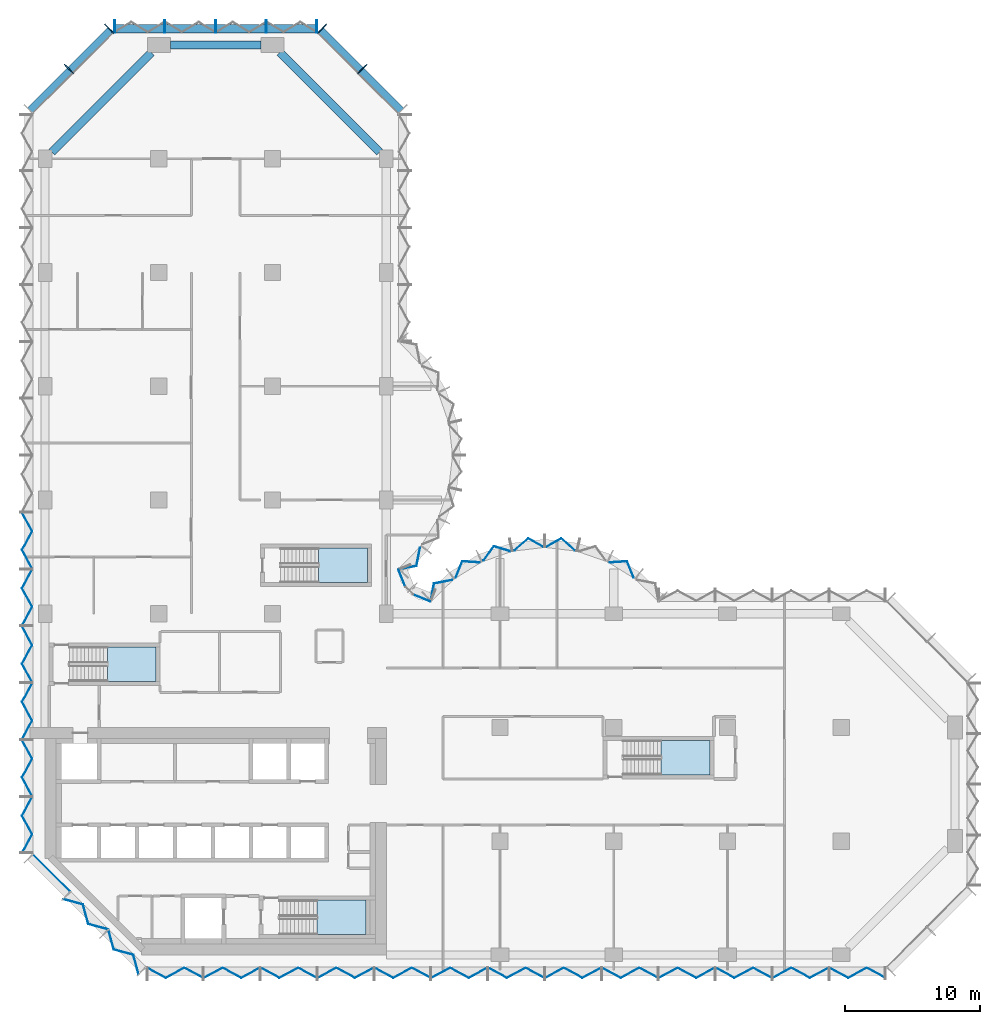
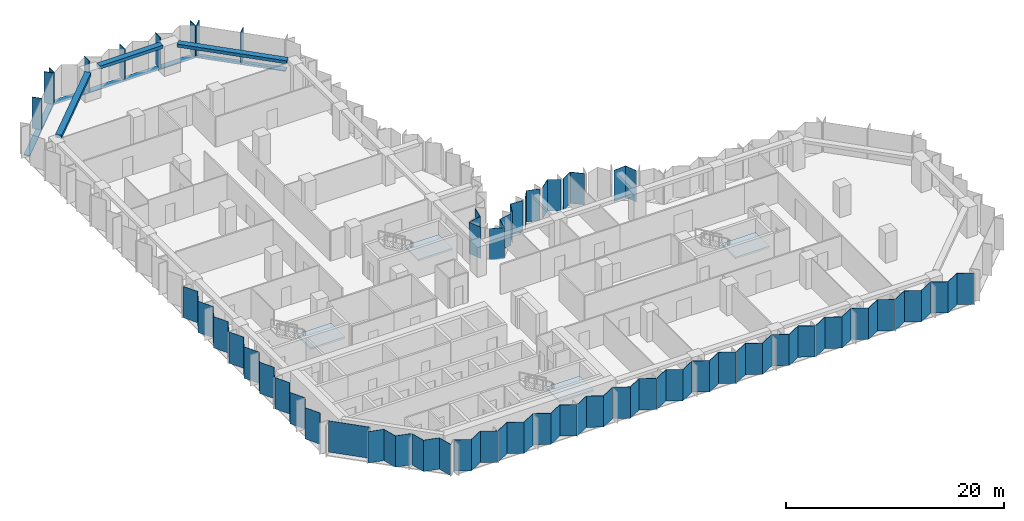
# One storey, part 5 of 13: 31 plates, 12 members, 4 slabs, 3 beams, 13 elements without a shape of their own.
"""IFC4 building model written with IfcOpenShell, lengths in metres."""

from ifc_helpers import new_model, si_unit, direction, frame, origin, origin_2d, place, context, subcontext, project, spatial, polyline, rectangle, outline, extrude, material, layer, layer_set, material_profile, profile_set, type_object, element, aggregate, save


model = new_model("IFC4")

# Units and contexts
model_context = context("Model", 3, precision=1e-05, world=origin(), true_north=direction((0.0, 1.0)))
body_context = subcontext(model_context, "Body", "Model", "MODEL_VIEW")
ifc_project = project(units=[si_unit("LENGTHUNIT", "METRE"), si_unit("AREAUNIT", "SQUARE_METRE"), si_unit("VOLUMEUNIT", "CUBIC_METRE"), si_unit("PLANEANGLEUNIT", "RADIAN"), si_unit("MASSUNIT", "GRAM", prefix="KILO")], contexts=[model_context])

# Site, building, storey
site_placement = place(None, origin())
site = spatial("IfcSite", under=ifc_project, at=site_placement, CompositionType="ELEMENT")
building_placement = place(site_placement, origin())
building = spatial("IfcBuilding", under=site, at=building_placement, Name="Brevane Broadcast Tower", CompositionType="ELEMENT")
storey_placement = place(building_placement, frame((0.0, 0.0, 113.300048828125)))
storey = spatial("IfcBuildingStorey", under=building, at=storey_placement, Name="L27", CompositionType="ELEMENT", Elevation=113.300048828125)

# Curtain wall, members
ifc_material_1 = material(Name="Aluminium 6063-T6 bronze anodised", Category="aluminium")
curtain_wall_type = type_object("IfcCurtainWallType", Name="CW-1 curtain wall", PredefinedType="NOTDEFINED", material=ifc_material_1)
curtain_wall_1_placement = place(storey_placement, origin())
curtain_wall_1 = element("IfcCurtainWall", 1, at=curtain_wall_1_placement, inside=storey, type_object=curtain_wall_type, Name="CW-1 typical tilted unit L27 north arm north-east chamfer", PredefinedType="NOTDEFINED")
ifc_material_profile_1 = material_profile(ifc_material_1, rectangle(XDim=0.949951171875, YDim=0.070068359375, at=origin_2d()), Name="RECT 70x950")
ifc_profile_set_1 = profile_set([ifc_material_profile_1], Name="Aluminium 6063-T6 bronze anodised")
member_type_1 = type_object("IfcMemberType", Name="CW-1 mullion 70x950", PredefinedType="MULLION", material=ifc_profile_set_1)
member_1_placement = place(storey_placement, frame((23.435791015625, 65.435791015625, -0.150146484375), z_axis=(0.0, 0.0, 1.0), x_axis=(-0.707106781187, -0.707106781187, 0.0)))
member_1 = element("IfcMember", 2, at=member_1_placement, type_object=member_type_1, Name="CW-1 mullion", PredefinedType="MULLION", context=body_context, shape_type="SweptSolid", body=[
    extrude(rectangle(XDim=0.949951171875, YDim=0.070068359375, at=origin_2d()), origin(), (0.0, 0.0, 1.0), 3.5),
])
member_2_placement = place(storey_placement, frame((20.460693359375, 68.4111328125, -0.150146484375), z_axis=(0.0, 0.0, 1.0), x_axis=(-0.707106781187, -0.707106781187, 0.0)))
member_2 = element("IfcMember", 3, at=member_2_placement, type_object=member_type_1, Name="CW-1 mullion", PredefinedType="MULLION", context=body_context, shape_type="SweptSolid", body=[
    extrude(rectangle(XDim=0.949951171875, YDim=0.070068359375, at=origin_2d()), origin(), (0.0, 0.0, 1.0), 3.5),
])

curtain_wall_2_placement = place(storey_placement, origin())
curtain_wall_2 = element("IfcCurtainWall", 4, at=curtain_wall_2_placement, inside=storey, type_object=curtain_wall_type, Name="CW-1 typical tilted unit L27 north end", PredefinedType="NOTDEFINED")
member_3_placement = place(storey_placement, frame((20.06494140625, 68.574951171875, -0.150146484375), z_axis=(0.0, 0.0, 1.0), x_axis=(0.0, -1.0, 0.0)))
member_3 = element("IfcMember", 5, at=member_3_placement, type_object=member_type_1, Name="CW-1 mullion", PredefinedType="MULLION", context=body_context, shape_type="SweptSolid", body=[
    extrude(rectangle(XDim=0.949951171875, YDim=0.070068359375, at=origin_2d()), origin(), (0.0, 0.0, 1.0), 3.5),
])
member_4_placement = place(storey_placement, frame((16.35009765625, 68.574951171875, -0.150146484375), z_axis=(0.0, 0.0, 1.0), x_axis=(0.0, -1.0, 0.0)))
member_4 = element("IfcMember", 6, at=member_4_placement, type_object=member_type_1, Name="CW-1 mullion", PredefinedType="MULLION", context=body_context, shape_type="SweptSolid", body=[
    extrude(rectangle(XDim=0.949951171875, YDim=0.070068359375, at=origin_2d()), origin(), (0.0, 0.0, 1.0), 3.5),
])
member_5_placement = place(storey_placement, frame((12.60009765625, 68.574951171875, -0.150146484375), z_axis=(0.0, 0.0, 1.0), x_axis=(0.0, -1.0, 0.0)))
member_5 = element("IfcMember", 7, at=member_5_placement, type_object=member_type_1, Name="CW-1 mullion", PredefinedType="MULLION", context=body_context, shape_type="SweptSolid", body=[
    extrude(rectangle(XDim=0.949951171875, YDim=0.070068359375, at=origin_2d()), origin(), (0.0, 0.0, 1.0), 3.5),
])
member_6_placement = place(storey_placement, frame((8.85009765625, 68.574951171875, -0.150146484375), z_axis=(0.0, 0.0, 1.0), x_axis=(0.0, -1.0, 0.0)))
member_6 = element("IfcMember", 8, at=member_6_placement, type_object=member_type_1, Name="CW-1 mullion", PredefinedType="MULLION", context=body_context, shape_type="SweptSolid", body=[
    extrude(rectangle(XDim=0.949951171875, YDim=0.070068359375, at=origin_2d()), origin(), (0.0, 0.0, 1.0), 3.5),
])
member_7_placement = place(storey_placement, frame((5.135009765625, 68.574951171875, -0.150146484375), z_axis=(0.0, 0.0, 1.0), x_axis=(0.0, -1.0, 0.0)))
member_7 = element("IfcMember", 9, at=member_7_placement, type_object=member_type_1, Name="CW-1 mullion", PredefinedType="MULLION", context=body_context, shape_type="SweptSolid", body=[
    extrude(rectangle(XDim=0.949951171875, YDim=0.070068359375, at=origin_2d()), origin(), (0.0, 0.0, 1.0), 3.5),
])

curtain_wall_3_placement = place(storey_placement, origin())
curtain_wall_3 = element("IfcCurtainWall", 10, at=curtain_wall_3_placement, inside=storey, type_object=curtain_wall_type, Name="CW-1 typical tilted unit L27 north-west chamfer", PredefinedType="NOTDEFINED")
member_8_placement = place(storey_placement, frame((4.7392578125, 68.4111328125, -0.150146484375), z_axis=(0.0, 0.0, 1.0), x_axis=(0.707106781187, -0.707106781187, 0.0)))
member_8 = element("IfcMember", 11, at=member_8_placement, type_object=member_type_1, Name="CW-1 mullion", PredefinedType="MULLION", context=body_context, shape_type="SweptSolid", body=[
    extrude(rectangle(XDim=0.949951171875, YDim=0.070068359375, at=origin_2d()), origin(), (0.0, 0.0, 1.0), 3.5),
])
member_9_placement = place(storey_placement, frame((1.76416015625, 65.435791015625, -0.150146484375), z_axis=(0.0, 0.0, 1.0), x_axis=(0.707106781187, -0.707106781187, 0.0)))
member_9 = element("IfcMember", 12, at=member_9_placement, type_object=member_type_1, Name="CW-1 mullion", PredefinedType="MULLION", context=body_context, shape_type="SweptSolid", body=[
    extrude(rectangle(XDim=0.949951171875, YDim=0.070068359375, at=origin_2d()), origin(), (0.0, 0.0, 1.0), 3.5),
])

# Member
ifc_material_profile_2 = material_profile(ifc_material_1, rectangle(XDim=0.60009765625, YDim=0.10009765625, at=origin_2d()), Name="RECT 100x600")
ifc_profile_set_2 = profile_set([ifc_material_profile_2], Name="Aluminium 6063-T6 bronze anodised")
member_type_2 = type_object("IfcMemberType", Name="CW-1 transom 100x600", PredefinedType="USERDEFINED", material=ifc_profile_set_2)
member_10_placement = place(storey_placement, frame((26.31201171875, 62.31201171875, -0.199951171875), z_axis=(-0.707106781187, 0.707106781187, 0.0), x_axis=(-0.707106781187, -0.707106781187, 0.0)))
member_10 = element("IfcMember", 13, at=member_10_placement, type_object=member_type_2, Name="CW-1 transom", ObjectType="TRANSOM", PredefinedType="USERDEFINED", context=body_context, shape_type="SweptSolid", body=[
    extrude(rectangle(XDim=0.60009765625, YDim=0.10009765625, at=origin_2d()), origin(), (0.0, 0.0, 1.0), 8.4853515625),
])

aggregate(curtain_wall_1, [member_1, member_2, member_10])

member_11_placement = place(storey_placement, frame((20.10009765625, 68.39990234375, -0.199951171875), z_axis=(-1.0, 0.0, 0.0), x_axis=(0.0, -1.0, 0.0)))
member_11 = element("IfcMember", 14, at=member_11_placement, type_object=member_type_2, Name="CW-1 transom", ObjectType="TRANSOM", PredefinedType="USERDEFINED", context=body_context, shape_type="SweptSolid", body=[
    extrude(rectangle(XDim=0.60009765625, YDim=0.10009765625, at=origin_2d()), origin(), (0.0, 0.0, 1.0), 15.0),
])

aggregate(curtain_wall_2, [member_3, member_4, member_5, member_6, member_7, member_11])

member_12_placement = place(storey_placement, frame((4.887939453125, 68.31201171875, -0.199951171875), z_axis=(-0.707106781187, -0.707106781187, 0.0), x_axis=(0.707106781187, -0.707106781187, 0.0)))
member_12 = element("IfcMember", 15, at=member_12_placement, type_object=member_type_2, Name="CW-1 transom", ObjectType="TRANSOM", PredefinedType="USERDEFINED", context=body_context, shape_type="SweptSolid", body=[
    extrude(rectangle(XDim=0.60009765625, YDim=0.10009765625, at=origin_2d()), origin(), (0.0, 0.0, 1.0), 8.4853515625),
])

aggregate(curtain_wall_3, [member_8, member_9, member_12])

# Beams
ifc_material_2 = material(Name="Concrete C40/50", Category="concrete")
ifc_material_profile_3 = material_profile(ifc_material_2, rectangle(XDim=0.60009765625, YDim=0.35009765625, at=origin_2d()), Name="RC 600x350")
ifc_profile_set_3 = profile_set([ifc_material_profile_3], Name="Concrete C40/50")
beam_type = type_object("IfcBeamType", Name="RC SPANDREL BEAM 600x350 C40/50", PredefinedType="SPANDREL", material=ifc_profile_set_3)
beam_1_placement = place(storey_placement, frame((24.699951171875, 59.300048828125, 3.175048828125), z_axis=(-0.707106781187, 0.707106781187, 0.0), x_axis=(-0.707106781187, -0.707106781187, 0.0)))
element("IfcBeam", 16, at=beam_1_placement, inside=storey, type_object=beam_type, Name="EB1 L27-16", PredefinedType="SPANDREL", context=body_context, shape_type="SweptSolid", body=[
    extrude(rectangle(XDim=0.60009765625, YDim=0.35009765625, at=origin_2d()), origin(), (0.0, 0.0, 1.0), 10.394287109375),
])
beam_2_placement = place(storey_placement, frame((15.949951171875, 67.199951171875, 3.175048828125), z_axis=(-1.0, 0.0, 0.0), x_axis=(0.0, -1.0, 0.0)))
element("IfcBeam", 17, at=beam_2_placement, inside=storey, type_object=beam_type, Name="EB1 L27-17", PredefinedType="SPANDREL", context=body_context, shape_type="SweptSolid", body=[
    extrude(rectangle(XDim=0.60009765625, YDim=0.35009765625, at=origin_2d()), origin(), (0.0, 0.0, 1.0), 6.699951171875),
])
beam_3_placement = place(storey_placement, frame((7.85009765625, 66.64990234375, 3.175048828125), z_axis=(-0.707118524903, -0.707095037275, 0.0), x_axis=(0.707095037275, -0.707118524903, 0.0)))
element("IfcBeam", 18, at=beam_3_placement, inside=storey, type_object=beam_type, Name="EB1 L27-18", PredefinedType="SPANDREL", context=body_context, shape_type="SweptSolid", body=[
    extrude(rectangle(XDim=0.60009765625, YDim=0.35009765625, at=origin_2d()), origin(), (0.0, 0.0, 1.0), 10.39453125),
])

# Curtain wall, plates
curtain_wall_4_placement = place(storey_placement, origin())
curtain_wall_4 = element("IfcCurtainWall", 19, at=curtain_wall_4_placement, inside=storey, type_object=curtain_wall_type, Name="CW-1 typical tilted unit L27 south face", PredefinedType="NOTDEFINED")
ifc_material_3 = material(Name="Laminated glass bronze-tinted", Category="glass")
ifc_layer_1 = layer(ifc_material_3, 0.0400390625)
ifc_layer_set_1 = layer_set([ifc_layer_1], Name="CW tall glass panel 40")
plate_type = type_object("IfcPlateType", Name="CW tall glass panel 40", PredefinedType="CURTAIN_PANEL", material=ifc_layer_set_1)
plate_1_placement = place(storey_placement, frame((0.0, 0.0, -0.150146484375)))
plate_1 = element("IfcPlate", 20, at=plate_1_placement, type_object=plate_type, Name="CW-1 glass panel", PredefinedType="CURTAIN_PANEL", context=body_context, shape_type="SweptSolid", body=[
    extrude(outline(polyline([(7.534912109375, -0.92724609375), (7.534912109375, -0.97265625), (8.91162109375, -1.717041015625), (10.288330078125, -0.97265625), (11.6650390625, -1.717041015625), (11.6650390625, -1.671630859375), (10.288330078125, -0.92724609375), (8.91162109375, -1.671630859375), (7.534912109375, -0.92724609375)])), origin(), (0.0, 0.0, 1.0), 3.5),
])
plate_2_placement = place(storey_placement, frame((0.0, 0.0, -0.150146484375)))
plate_2 = element("IfcPlate", 21, at=plate_2_placement, type_object=plate_type, Name="CW-1 glass panel", PredefinedType="CURTAIN_PANEL", context=body_context, shape_type="SweptSolid", body=[
    extrude(outline(polyline([(11.735107421875, -1.671630859375), (11.735107421875, -1.717041015625), (13.11181640625, -0.97265625), (14.48828125, -1.717041015625), (15.864990234375, -0.97265625), (15.864990234375, -0.92724609375), (14.48828125, -1.671630859375), (13.11181640625, -0.92724609375), (11.735107421875, -1.671630859375)])), origin(), (0.0, 0.0, 1.0), 3.5),
])
plate_3_placement = place(storey_placement, frame((0.0, 0.0, -0.150146484375)))
plate_3 = element("IfcPlate", 22, at=plate_3_placement, type_object=plate_type, Name="CW-1 glass panel", PredefinedType="CURTAIN_PANEL", context=body_context, shape_type="SweptSolid", body=[
    extrude(outline(polyline([(15.93505859375, -0.92724609375), (15.93505859375, -0.97265625), (17.311767578125, -1.717041015625), (18.688232421875, -0.97265625), (20.06494140625, -1.717041015625), (20.06494140625, -1.671630859375), (18.688232421875, -0.92724609375), (17.311767578125, -1.671630859375), (15.93505859375, -0.92724609375)])), origin(), (0.0, 0.0, 1.0), 3.5),
])
plate_4_placement = place(storey_placement, frame((0.0, 0.0, -0.150146484375)))
plate_4 = element("IfcPlate", 23, at=plate_4_placement, type_object=plate_type, Name="CW-1 glass panel", PredefinedType="CURTAIN_PANEL", context=body_context, shape_type="SweptSolid", body=[
    extrude(outline(polyline([(20.135009765625, -1.671630859375), (20.135009765625, -1.717041015625), (21.51171875, -0.97265625), (22.88818359375, -1.717041015625), (24.264892578125, -0.97265625), (24.264892578125, -0.92724609375), (22.88818359375, -1.671630859375), (21.51171875, -0.92724609375), (20.135009765625, -1.671630859375)])), origin(), (0.0, 0.0, 1.0), 3.5),
])
plate_5_placement = place(storey_placement, frame((0.0, 0.0, -0.150146484375)))
plate_5 = element("IfcPlate", 24, at=plate_5_placement, type_object=plate_type, Name="CW-1 glass panel", PredefinedType="CURTAIN_PANEL", context=body_context, shape_type="SweptSolid", body=[
    extrude(outline(polyline([(24.3349609375, -0.92724609375), (24.3349609375, -0.97265625), (25.711669921875, -1.717041015625), (27.08837890625, -0.97265625), (28.465087890625, -1.717041015625), (28.465087890625, -1.671630859375), (27.08837890625, -0.92724609375), (25.711669921875, -1.671630859375), (24.3349609375, -0.92724609375)])), origin(), (0.0, 0.0, 1.0), 3.5),
])
plate_6_placement = place(storey_placement, frame((0.0, 0.0, -0.150146484375)))
plate_6 = element("IfcPlate", 25, at=plate_6_placement, type_object=plate_type, Name="CW-1 glass panel", PredefinedType="CURTAIN_PANEL", context=body_context, shape_type="SweptSolid", body=[
    extrude(outline(polyline([(28.534912109375, -1.671630859375), (28.534912109375, -1.717041015625), (29.91162109375, -0.97265625), (31.288330078125, -1.717041015625), (32.6650390625, -0.97265625), (32.6650390625, -0.92724609375), (31.288330078125, -1.671630859375), (29.91162109375, -0.92724609375), (28.534912109375, -1.671630859375)])), origin(), (0.0, 0.0, 1.0), 3.5),
])
plate_7_placement = place(storey_placement, frame((0.0, 0.0, -0.150146484375)))
plate_7 = element("IfcPlate", 26, at=plate_7_placement, type_object=plate_type, Name="CW-1 glass panel", PredefinedType="CURTAIN_PANEL", context=body_context, shape_type="SweptSolid", body=[
    extrude(outline(polyline([(32.735107421875, -0.92724609375), (32.735107421875, -0.97265625), (34.11181640625, -1.717041015625), (35.48828125, -0.97265625), (36.864990234375, -1.717041015625), (36.864990234375, -1.671630859375), (35.48828125, -0.92724609375), (34.11181640625, -1.671630859375), (32.735107421875, -0.92724609375)])), origin(), (0.0, 0.0, 1.0), 3.5),
])
plate_8_placement = place(storey_placement, frame((0.0, 0.0, -0.150146484375)))
plate_8 = element("IfcPlate", 27, at=plate_8_placement, type_object=plate_type, Name="CW-1 glass panel", PredefinedType="CURTAIN_PANEL", context=body_context, shape_type="SweptSolid", body=[
    extrude(outline(polyline([(36.93505859375, -1.671630859375), (36.93505859375, -1.717041015625), (38.311767578125, -0.97265625), (39.688232421875, -1.717041015625), (41.06494140625, -0.97265625), (41.06494140625, -0.92724609375), (39.688232421875, -1.671630859375), (38.311767578125, -0.92724609375), (36.93505859375, -1.671630859375)])), origin(), (0.0, 0.0, 1.0), 3.5),
])
plate_9_placement = place(storey_placement, frame((0.0, 0.0, -0.150146484375)))
plate_9 = element("IfcPlate", 28, at=plate_9_placement, type_object=plate_type, Name="CW-1 glass panel", PredefinedType="CURTAIN_PANEL", context=body_context, shape_type="SweptSolid", body=[
    extrude(outline(polyline([(41.135009765625, -0.92724609375), (41.135009765625, -0.97265625), (42.51171875, -1.717041015625), (43.88818359375, -0.97265625), (45.264892578125, -1.717041015625), (45.264892578125, -1.671630859375), (43.88818359375, -0.92724609375), (42.51171875, -1.671630859375), (41.135009765625, -0.92724609375)])), origin(), (0.0, 0.0, 1.0), 3.5),
])
plate_10_placement = place(storey_placement, frame((0.0, 0.0, -0.150146484375)))
plate_10 = element("IfcPlate", 29, at=plate_10_placement, type_object=plate_type, Name="CW-1 glass panel", PredefinedType="CURTAIN_PANEL", context=body_context, shape_type="SweptSolid", body=[
    extrude(outline(polyline([(45.3349609375, -1.671630859375), (45.3349609375, -1.717041015625), (46.711669921875, -0.97265625), (48.08837890625, -1.717041015625), (49.465087890625, -0.97265625), (49.465087890625, -0.92724609375), (48.08837890625, -1.671630859375), (46.711669921875, -0.92724609375), (45.3349609375, -1.671630859375)])), origin(), (0.0, 0.0, 1.0), 3.5),
])
plate_11_placement = place(storey_placement, frame((0.0, 0.0, -0.150146484375)))
plate_11 = element("IfcPlate", 30, at=plate_11_placement, type_object=plate_type, Name="CW-1 glass panel", PredefinedType="CURTAIN_PANEL", context=body_context, shape_type="SweptSolid", body=[
    extrude(outline(polyline([(49.534912109375, -0.92724609375), (49.534912109375, -0.97265625), (50.91162109375, -1.717041015625), (52.288330078125, -0.97265625), (53.6650390625, -1.717041015625), (53.6650390625, -1.671630859375), (52.288330078125, -0.92724609375), (50.91162109375, -1.671630859375), (49.534912109375, -0.92724609375)])), origin(), (0.0, 0.0, 1.0), 3.5),
])
plate_12_placement = place(storey_placement, frame((0.0, 0.0, -0.150146484375)))
plate_12 = element("IfcPlate", 31, at=plate_12_placement, type_object=plate_type, Name="CW-1 glass panel", PredefinedType="CURTAIN_PANEL", context=body_context, shape_type="SweptSolid", body=[
    extrude(outline(polyline([(53.735107421875, -1.671630859375), (53.735107421875, -1.717041015625), (55.11181640625, -0.97265625), (56.48828125, -1.717041015625), (57.864990234375, -0.97265625), (57.864990234375, -0.92724609375), (56.48828125, -1.671630859375), (55.11181640625, -0.92724609375), (53.735107421875, -1.671630859375)])), origin(), (0.0, 0.0, 1.0), 3.5),
])
plate_13_placement = place(storey_placement, frame((0.0, 0.0, -0.150146484375)))
plate_13 = element("IfcPlate", 32, at=plate_13_placement, type_object=plate_type, Name="CW-1 glass panel", PredefinedType="CURTAIN_PANEL", context=body_context, shape_type="SweptSolid", body=[
    extrude(outline(polyline([(57.93505859375, -0.92724609375), (57.93505859375, -0.97265625), (59.311767578125, -1.717041015625), (60.688232421875, -0.97265625), (62.06494140625, -1.717041015625), (62.06494140625, -1.671630859375), (60.688232421875, -0.92724609375), (59.311767578125, -1.671630859375), (57.93505859375, -0.92724609375)])), origin(), (0.0, 0.0, 1.0), 3.5),
])
aggregate(curtain_wall_4, [plate_1, plate_2, plate_3, plate_4, plate_5, plate_6, plate_7, plate_8, plate_9, plate_10, plate_11, plate_12, plate_13])

curtain_wall_5_placement = place(storey_placement, origin())
curtain_wall_5 = element("IfcCurtainWall", 33, at=curtain_wall_5_placement, inside=storey, type_object=curtain_wall_type, Name="CW-1 typical tilted unit L27 east bow", PredefinedType="NOTDEFINED")
plate_14_placement = place(storey_placement, frame((0.0, 0.0, -0.150146484375)))
plate_14 = element("IfcPlate", 34, at=plate_14_placement, type_object=plate_type, Name="CW-1 glass panel", PredefinedType="CURTAIN_PANEL", context=body_context, shape_type="SweptSolid", body=[
    extrude(outline(polyline([(43.45703125, 27.8759765625), (43.4853515625, 27.912109375), (43.00390625, 29.089111328125), (41.710693359375, 29.006591796875), (41.69091796875, 28.96533203125), (42.977783203125, 29.04736328125), (43.45703125, 27.8759765625)])), origin(), (0.0, 0.0, 1.0), 3.5),
])
plate_15_placement = place(storey_placement, frame((0.0, 0.0, -0.150146484375)))
plate_15 = element("IfcPlate", 35, at=plate_15_placement, type_object=plate_type, Name="CW-1 glass panel", PredefinedType="CURTAIN_PANEL", context=body_context, shape_type="SweptSolid", body=[
    extrude(outline(polyline([(39.125, 29.859619140625), (39.13525390625, 29.903564453125), (38.116943359375, 30.779296875), (37.008056640625, 30.15869140625), (37.008056640625, 30.11279296875), (38.112060546875, 30.730712890625), (39.125, 29.859619140625)])), origin(), (0.0, 0.0, 1.0), 3.5),
])
plate_16_placement = place(storey_placement, frame((0.0, 0.0, -0.150146484375)))
plate_16 = element("IfcPlate", 36, at=plate_16_placement, type_object=plate_type, Name="CW-1 glass panel", PredefinedType="CURTAIN_PANEL", context=body_context, shape_type="SweptSolid", body=[
    extrude(outline(polyline([(36.7919921875, 30.11279296875), (36.7919921875, 30.15869140625), (35.68310546875, 30.779296875), (34.664794921875, 29.903564453125), (34.6748046875, 29.859619140625), (35.68798828125, 30.730712890625), (36.7919921875, 30.11279296875)])), origin(), (0.0, 0.0, 1.0), 3.5),
])
plate_17_placement = place(storey_placement, frame((0.0, 0.0, -0.150146484375)))
plate_17 = element("IfcPlate", 37, at=plate_17_placement, type_object=plate_type, Name="CW-1 glass panel", PredefinedType="CURTAIN_PANEL", context=body_context, shape_type="SweptSolid", body=[
    extrude(outline(polyline([(34.359619140625, 29.78857421875), (34.349365234375, 29.83349609375), (33.132080078125, 30.20166015625), (32.381103515625, 29.1455078125), (32.400634765625, 29.104248046875), (33.148193359375, 30.155029296875), (34.359619140625, 29.78857421875)])), origin(), (0.0, 0.0, 1.0), 3.5),
])
plate_18_placement = place(storey_placement, frame((0.0, 0.0, -0.150146484375)))
plate_18 = element("IfcPlate", 38, at=plate_18_placement, type_object=plate_type, Name="CW-1 glass panel", PredefinedType="CURTAIN_PANEL", context=body_context, shape_type="SweptSolid", body=[
    extrude(outline(polyline([(32.10888671875, 28.96533203125), (32.08935546875, 29.006591796875), (30.7958984375, 29.089111328125), (30.314697265625, 27.912109375), (30.343017578125, 27.8759765625), (30.822265625, 29.04736328125), (32.10888671875, 28.96533203125)])), origin(), (0.0, 0.0, 1.0), 3.5),
])
plate_19_placement = place(storey_placement, frame((0.0, 0.0, -0.150146484375)))
plate_19 = element("IfcPlate", 39, at=plate_19_placement, type_object=plate_type, Name="CW-1 glass panel", PredefinedType="CURTAIN_PANEL", context=body_context, shape_type="SweptSolid", body=[
    extrude(outline(polyline([(30.089111328125, 27.67626953125), (30.0615234375, 27.71142578125), (28.7138671875, 27.447265625), (28.471923828125, 26.17919921875), (28.506103515625, 26.14404296875), (28.748046875, 27.4130859375), (30.089111328125, 27.67626953125)])), origin(), (0.0, 0.0, 1.0), 3.5),
])
aggregate(curtain_wall_5, [plate_14, plate_15, plate_16, plate_17, plate_18, plate_19])

curtain_wall_6_placement = place(storey_placement, origin())
curtain_wall_6 = element("IfcCurtainWall", 40, at=curtain_wall_6_placement, inside=storey, type_object=curtain_wall_type, Name="CW-1 typical tilted unit L27 inner corner", PredefinedType="NOTDEFINED")
plate_20_placement = place(storey_placement, frame((0.0, 0.0, -0.150146484375)))
plate_20 = element("IfcPlate", 41, at=plate_20_placement, type_object=plate_type, Name="CW-1 glass panel", PredefinedType="CURTAIN_PANEL", context=body_context, shape_type="SweptSolid", body=[
    extrude(outline(polyline([(28.45166015625, 26.07470703125), (28.466796875, 26.111572265625), (27.2021484375, 26.635498046875), (27.17138671875, 26.60498046875), (28.45166015625, 26.07470703125)])), origin(), (0.0, 0.0, 1.0), 3.5),
])
plate_21_placement = place(storey_placement, frame((0.0, 0.0, -0.150146484375)))
plate_21 = element("IfcPlate", 42, at=plate_21_placement, type_object=plate_type, Name="CW-1 glass panel", PredefinedType="CURTAIN_PANEL", context=body_context, shape_type="SweptSolid", body=[
    extrude(outline(polyline([(26.60498046875, 27.17138671875), (26.635498046875, 27.2021484375), (26.111572265625, 28.466796875), (26.07470703125, 28.45166015625), (26.60498046875, 27.17138671875)])), origin(), (0.0, 0.0, 1.0), 3.5),
])
aggregate(curtain_wall_6, [plate_20, plate_21])

# Curtain wall, plate
curtain_wall_7_placement = place(storey_placement, origin())
curtain_wall_7 = element("IfcCurtainWall", 43, at=curtain_wall_7_placement, inside=storey, type_object=curtain_wall_type, Name="CW-1 typical tilted unit L27 north bow", PredefinedType="NOTDEFINED")
plate_22_placement = place(storey_placement, frame((0.0, 0.0, -0.150146484375)))
plate_22 = element("IfcPlate", 44, at=plate_22_placement, type_object=plate_type, Name="CW-1 glass panel", PredefinedType="CURTAIN_PANEL", context=body_context, shape_type="SweptSolid", body=[
    extrude(outline(polyline([(26.14404296875, 28.506103515625), (26.17919921875, 28.471923828125), (27.447265625, 28.7138671875), (27.71142578125, 30.0615234375), (27.67626953125, 30.089111328125), (27.4130859375, 28.748046875), (26.14404296875, 28.506103515625)])), origin(), (0.0, 0.0, 1.0), 3.5),
])
aggregate(curtain_wall_7, [plate_22])

# Curtain wall, plates
curtain_wall_8_placement = place(storey_placement, origin())
curtain_wall_8 = element("IfcCurtainWall", 45, at=curtain_wall_8_placement, inside=storey, type_object=curtain_wall_type, Name="CW-1 typical tilted unit L27 west face", PredefinedType="NOTDEFINED")
plate_23_placement = place(storey_placement, frame((0.0, 0.0, -0.150146484375)))
plate_23 = element("IfcPlate", 46, at=plate_23_placement, type_object=plate_type, Name="CW-1 glass panel", PredefinedType="CURTAIN_PANEL", context=body_context, shape_type="SweptSolid", body=[
    extrude(outline(polyline([(-1.671630859375, 32.6650390625), (-1.717041015625, 32.6650390625), (-0.97265625, 31.288330078125), (-1.717041015625, 29.91162109375), (-0.97265625, 28.534912109375), (-0.92724609375, 28.534912109375), (-1.671630859375, 29.91162109375), (-0.92724609375, 31.288330078125), (-1.671630859375, 32.6650390625)])), origin(), (0.0, 0.0, 1.0), 3.5),
])
plate_24_placement = place(storey_placement, frame((0.0, 0.0, -0.150146484375)))
plate_24 = element("IfcPlate", 47, at=plate_24_placement, type_object=plate_type, Name="CW-1 glass panel", PredefinedType="CURTAIN_PANEL", context=body_context, shape_type="SweptSolid", body=[
    extrude(outline(polyline([(-0.92724609375, 28.465087890625), (-0.97265625, 28.465087890625), (-1.717041015625, 27.08837890625), (-0.97265625, 25.711669921875), (-1.717041015625, 24.3349609375), (-1.671630859375, 24.3349609375), (-0.92724609375, 25.711669921875), (-1.671630859375, 27.08837890625), (-0.92724609375, 28.465087890625)])), origin(), (0.0, 0.0, 1.0), 3.5),
])
plate_25_placement = place(storey_placement, frame((0.0, 0.0, -0.150146484375)))
plate_25 = element("IfcPlate", 48, at=plate_25_placement, type_object=plate_type, Name="CW-1 glass panel", PredefinedType="CURTAIN_PANEL", context=body_context, shape_type="SweptSolid", body=[
    extrude(outline(polyline([(-1.671630859375, 24.264892578125), (-1.717041015625, 24.264892578125), (-0.97265625, 22.88818359375), (-1.717041015625, 21.51171875), (-0.97265625, 20.135009765625), (-0.92724609375, 20.135009765625), (-1.671630859375, 21.51171875), (-0.92724609375, 22.88818359375), (-1.671630859375, 24.264892578125)])), origin(), (0.0, 0.0, 1.0), 3.5),
])
plate_26_placement = place(storey_placement, frame((0.0, 0.0, -0.150146484375)))
plate_26 = element("IfcPlate", 49, at=plate_26_placement, type_object=plate_type, Name="CW-1 glass panel", PredefinedType="CURTAIN_PANEL", context=body_context, shape_type="SweptSolid", body=[
    extrude(outline(polyline([(-0.92724609375, 20.06494140625), (-0.97265625, 20.06494140625), (-1.717041015625, 18.688232421875), (-0.97265625, 17.311767578125), (-1.717041015625, 15.93505859375), (-1.671630859375, 15.93505859375), (-0.92724609375, 17.311767578125), (-1.671630859375, 18.688232421875), (-0.92724609375, 20.06494140625)])), origin(), (0.0, 0.0, 1.0), 3.5),
])
plate_27_placement = place(storey_placement, frame((0.0, 0.0, -0.150146484375)))
plate_27 = element("IfcPlate", 50, at=plate_27_placement, type_object=plate_type, Name="CW-1 glass panel", PredefinedType="CURTAIN_PANEL", context=body_context, shape_type="SweptSolid", body=[
    extrude(outline(polyline([(-1.671630859375, 15.864990234375), (-1.717041015625, 15.864990234375), (-0.97265625, 14.48828125), (-1.717041015625, 13.11181640625), (-0.97265625, 11.735107421875), (-0.92724609375, 11.735107421875), (-1.671630859375, 13.11181640625), (-0.92724609375, 14.48828125), (-1.671630859375, 15.864990234375)])), origin(), (0.0, 0.0, 1.0), 3.5),
])
plate_28_placement = place(storey_placement, frame((0.0, 0.0, -0.150146484375)))
plate_28 = element("IfcPlate", 51, at=plate_28_placement, type_object=plate_type, Name="CW-1 glass panel", PredefinedType="CURTAIN_PANEL", context=body_context, shape_type="SweptSolid", body=[
    extrude(outline(polyline([(-0.92724609375, 11.6650390625), (-0.97265625, 11.6650390625), (-1.717041015625, 10.288330078125), (-0.97265625, 8.91162109375), (-1.717041015625, 7.534912109375), (-1.671630859375, 7.534912109375), (-0.92724609375, 8.91162109375), (-1.671630859375, 10.288330078125), (-0.92724609375, 11.6650390625)])), origin(), (0.0, 0.0, 1.0), 3.5),
])
aggregate(curtain_wall_8, [plate_23, plate_24, plate_25, plate_26, plate_27, plate_28])

curtain_wall_9_placement = place(storey_placement, origin())
curtain_wall_9 = element("IfcCurtainWall", 52, at=curtain_wall_9_placement, inside=storey, type_object=curtain_wall_type, Name="CW-1 typical tilted unit L27 south-west chamfer", PredefinedType="NOTDEFINED")
plate_29_placement = place(storey_placement, frame((0.0, 0.0, -0.150146484375)))
plate_29 = element("IfcPlate", 53, at=plate_29_placement, type_object=plate_type, Name="CW-1 glass panel", PredefinedType="CURTAIN_PANEL", context=body_context, shape_type="SweptSolid", body=[
    extrude(outline(polyline([(-0.896484375, 7.4541015625), (1.85400390625, 4.70361328125), (1.82568359375, 4.67529296875), (-0.9248046875, 7.42578125), (-0.896484375, 7.4541015625)])), origin(), (0.0, 0.0, 1.0), 3.5),
])
plate_30_placement = place(storey_placement, frame((0.0, 0.0, -0.150146484375)))
plate_30 = element("IfcPlate", 54, at=plate_30_placement, type_object=plate_type, Name="CW-1 glass panel", PredefinedType="CURTAIN_PANEL", context=body_context, shape_type="SweptSolid", body=[
    extrude(outline(polyline([(1.37939453125, 4.1298828125), (1.3466796875, 4.09716796875), (2.789794921875, 3.706787109375), (3.180419921875, 2.263671875), (4.62353515625, 1.873046875), (4.65625, 1.90576171875), (3.212890625, 2.296142578125), (2.822509765625, 3.739501953125), (1.37939453125, 4.1298828125)])), origin(), (0.0, 0.0, 1.0), 3.5),
])
plate_31_placement = place(storey_placement, frame((0.0, 0.0, -0.150146484375)))
plate_31 = element("IfcPlate", 55, at=plate_31_placement, type_object=plate_type, Name="CW-1 glass panel", PredefinedType="CURTAIN_PANEL", context=body_context, shape_type="SweptSolid", body=[
    extrude(outline(polyline([(4.705810546875, 1.856201171875), (4.673095703125, 1.823486328125), (5.063720703125, 0.38037109375), (6.5068359375, -0.010009765625), (6.897216796875, -1.453369140625), (6.9296875, -1.420654296875), (6.539306640625, 0.0224609375), (5.09619140625, 0.4130859375), (4.705810546875, 1.856201171875)])), origin(), (0.0, 0.0, 1.0), 3.5),
])
aggregate(curtain_wall_9, [plate_29, plate_30, plate_31])

# Stair, slab
ifc_material_4 = material(Name="Concrete C50/60", Category="concrete")
stair_type = type_object("IfcStairType", Name="Exit stair 22 risers", PredefinedType="HALF_TURN_STAIR", material=ifc_material_4)
stair_1_placement = place(storey_placement, origin())
stair_1 = element("IfcStair", 56, at=stair_1_placement, inside=storey, type_object=stair_type, Name="L27 Exit stair ST-1", PredefinedType="HALF_TURN_STAIR")
ifc_layer_2 = layer(ifc_material_4, 0.199951171875)
ifc_layer_set_2 = layer_set([ifc_layer_2], Name="Exit stair landing")
slab_type = type_object("IfcSlabType", Name="Exit stair landing", PredefinedType="LANDING", material=ifc_layer_set_2)
slab_1_placement = place(storey_placement, frame((0.0, 0.0, 1.599853515625)))
slab_1 = element("IfcSlab", 57, at=slab_1_placement, type_object=slab_type, Name="ST-1 landing 1", PredefinedType="LANDING", context=body_context, shape_type="SweptSolid", body=[
    extrude(outline(polyline([(4.60009765625, 20.199951171875), (8.199951171875, 20.199951171875), (8.199951171875, 22.75), (4.60009765625, 22.75), (4.60009765625, 20.199951171875)])), origin(), (0.0, 0.0, 1.0), 0.2001953125),
])
aggregate(stair_1, [slab_1])

stair_2_placement = place(storey_placement, origin())
stair_2 = element("IfcStair", 58, at=stair_2_placement, inside=storey, type_object=stair_type, Name="L27 Exit stair ST-2", PredefinedType="HALF_TURN_STAIR")
slab_2_placement = place(storey_placement, frame((0.0, 0.0, 1.599853515625)))
slab_2 = element("IfcSlab", 59, at=slab_2_placement, type_object=slab_type, Name="ST-2 landing 1", PredefinedType="LANDING", context=body_context, shape_type="SweptSolid", body=[
    extrude(outline(polyline([(20.10009765625, 1.5), (23.699951171875, 1.5), (23.699951171875, 4.050048828125), (20.10009765625, 4.050048828125), (20.10009765625, 1.5)])), origin(), (0.0, 0.0, 1.0), 0.2001953125),
])
aggregate(stair_2, [slab_2])

stair_3_placement = place(storey_placement, origin())
stair_3 = element("IfcStair", 60, at=stair_3_placement, inside=storey, type_object=stair_type, Name="L27 Exit stair ST-3", PredefinedType="HALF_TURN_STAIR")
slab_3_placement = place(storey_placement, frame((0.0, 0.0, 1.599853515625)))
slab_3 = element("IfcSlab", 61, at=slab_3_placement, type_object=slab_type, Name="ST-3 landing 1", PredefinedType="LANDING", context=body_context, shape_type="SweptSolid", body=[
    extrude(outline(polyline([(20.199951171875, 27.5), (23.800048828125, 27.5), (23.800048828125, 30.050048828125), (20.199951171875, 30.050048828125), (20.199951171875, 27.5)])), origin(), (0.0, 0.0, 1.0), 0.2001953125),
])
aggregate(stair_3, [slab_3])

stair_4_placement = place(storey_placement, origin())
stair_4 = element("IfcStair", 62, at=stair_4_placement, inside=storey, type_object=stair_type, Name="L27 Exit stair ST-4", PredefinedType="HALF_TURN_STAIR")
slab_4_placement = place(storey_placement, frame((0.0, 0.0, 1.599853515625)))
slab_4 = element("IfcSlab", 63, at=slab_4_placement, type_object=slab_type, Name="ST-4 landing 1", PredefinedType="LANDING", context=body_context, shape_type="SweptSolid", body=[
    extrude(outline(polyline([(45.5, 13.300048828125), (49.10009765625, 13.300048828125), (49.10009765625, 15.85009765625), (45.5, 15.85009765625), (45.5, 13.300048828125)])), origin(), (0.0, 0.0, 1.0), 0.2001953125),
])
aggregate(stair_4, [slab_4])

save(model, "model.ifc")
